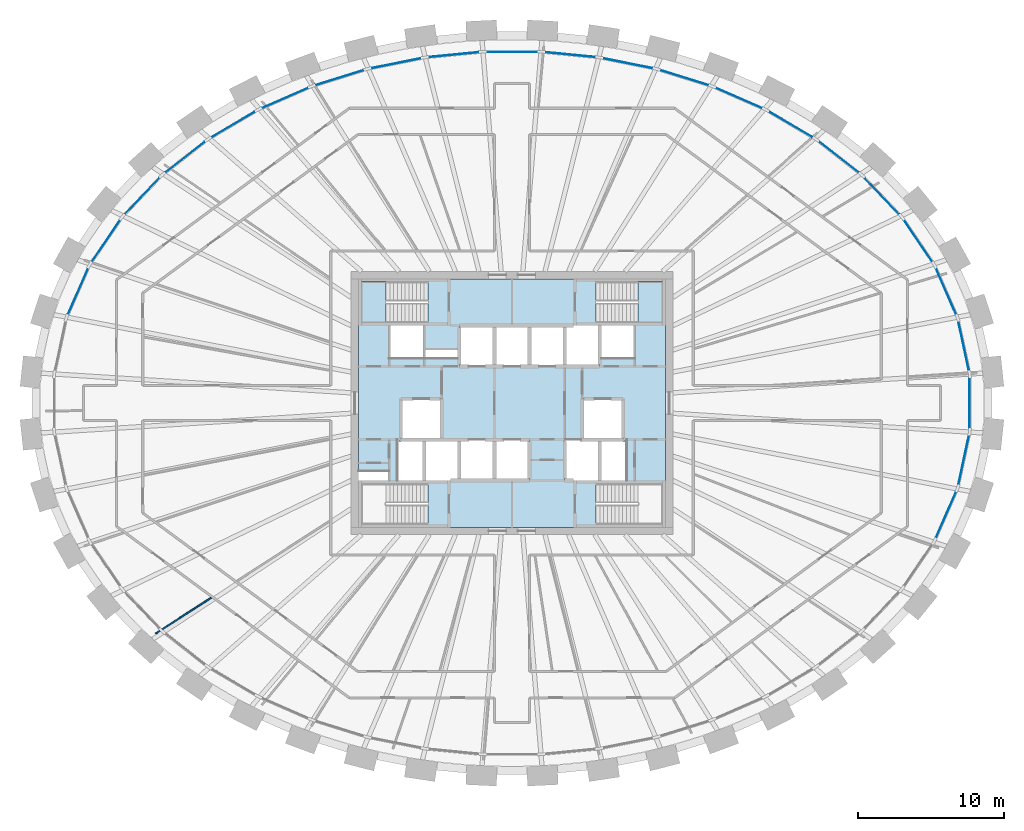
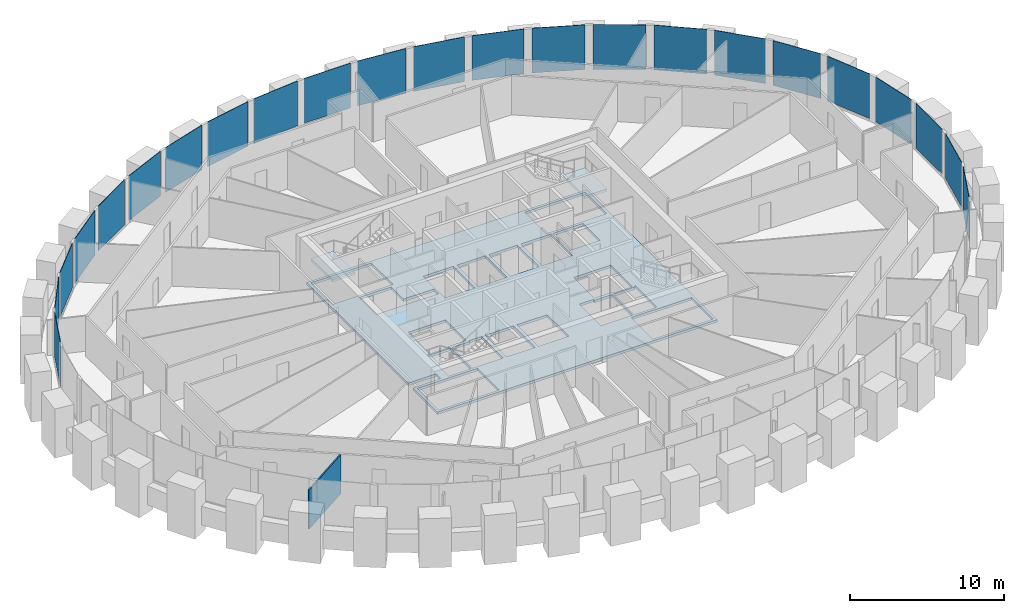
# One storey, part 5 of 12: 23 plates, 3 slabs, 1 wall, 3 elements without a shape of their own.
"""IFC4 building model written with IfcOpenShell, lengths in metres."""

from ifc_helpers import new_model, si_unit, direction, frame, frame_2d, origin, origin_2d, place, context, subcontext, project, spatial, polyline, rectangle, outline, extrude, source, transform, mapped, material, layer, layer_set, type_object, element, aggregate, save


model = new_model("IFC4")

# Units and contexts
model_context = context("Model", 3, precision=1e-05, world=origin(), true_north=direction((0.0, 1.0)))
body_context = subcontext(model_context, "Body", "Model", "MODEL_VIEW")
ifc_project = project(units=[si_unit("LENGTHUNIT", "METRE"), si_unit("AREAUNIT", "SQUARE_METRE"), si_unit("VOLUMEUNIT", "CUBIC_METRE"), si_unit("PLANEANGLEUNIT", "RADIAN"), si_unit("MASSUNIT", "GRAM", prefix="KILO")], contexts=[model_context])

# Site, building, storey
site_placement = place(None, origin())
site = spatial("IfcSite", under=ifc_project, at=site_placement, CompositionType="ELEMENT")
building_placement = place(site_placement, origin())
building = spatial("IfcBuilding", under=site, at=building_placement, Name="Embergate Tower", CompositionType="ELEMENT")
storey_placement = place(building_placement, frame((0.0, 0.0, 265.60009765625)))
storey = spatial("IfcBuildingStorey", under=building, at=storey_placement, Name="L61", CompositionType="ELEMENT", Elevation=265.60009765625)

# Curtain wall, plates
ifc_material_1 = material(Name="Aluminium and glass", Category="aluminium")
curtain_wall_type = type_object("IfcCurtainWallType", Name="Recessed office glazing", PredefinedType="NOTDEFINED", material=ifc_material_1)
curtain_wall_placement = place(storey_placement, origin())
curtain_wall = element("IfcCurtainWall", 1, at=curtain_wall_placement, inside=storey, type_object=curtain_wall_type, Name="Recessed office glazing ring", ObjectType="RECESSED OFFICE GLAZING", PredefinedType="USERDEFINED")
ifc_material_2 = material(Name="Triple glazing, low-emissivity coating", Category="glass")
ifc_layer_1 = layer(ifc_material_2, 0.035888671875)
ifc_layer_set_1 = layer_set([ifc_layer_1], Name="Triple glazing, low-emissivity coating")
plate_type = type_object("IfcPlateType", Name="Office glazing unit", PredefinedType="CURTAIN_PANEL", material=ifc_layer_set_1)
shared_shape_1 = source(origin(), body_context, "Body", "SweptSolid", [
    extrude(rectangle(XDim=3.42529296875, YDim=0.035888671875, at=origin_2d()), origin(), (0.0, 0.0, 1.0), 3.550048828125),
])
plate_1_placement = place(storey_placement, frame((30.88623046875, 3.89990234375, 0.14990234375), z_axis=(0.0, 0.0, 1.0), x_axis=(-0.210401803698, 0.977614996305, 0.0)))
plate_1 = element("IfcPlate", 2, at=plate_1_placement, type_object=plate_type, Name="CW panel 1.1", PredefinedType="CURTAIN_PANEL", context=body_context, shape_type="MappedRepresentation", body=[
    mapped(shared_shape_1, transform((0.0, 0.0, 0.0))),
])
plate_2_placement = place(storey_placement, frame((30.88623046875, -3.89990234375, 0.14990234375), z_axis=(0.0, 0.0, 1.0), x_axis=(0.210401803698, 0.977614996305, 0.0)))
plate_2 = element("IfcPlate", 3, at=plate_2_placement, type_object=plate_type, Name="CW panel 43.1", PredefinedType="CURTAIN_PANEL", context=body_context, shape_type="MappedRepresentation", body=[
    mapped(shared_shape_1, transform((0.0, 0.0, 0.0))),
])
shared_shape_2 = source(origin(), body_context, "Body", "SweptSolid", [
    extrude(rectangle(XDim=3.43212890625, YDim=0.035888671875, at=origin_2d()), origin(), (0.0, 0.0, 1.0), 3.550048828125),
])
plate_3_placement = place(storey_placement, frame((29.677490234375, 7.63818359375, 0.14990234375), z_axis=(0.0, 0.0, 1.0), x_axis=(-0.401658494584, 0.915789524797, 0.0)))
plate_3 = element("IfcPlate", 4, at=plate_3_placement, type_object=plate_type, Name="CW panel 2.1", PredefinedType="CURTAIN_PANEL", context=body_context, shape_type="MappedRepresentation", body=[
    mapped(shared_shape_2, transform((0.0, 0.0, 0.0))),
])
plate_4_placement = place(storey_placement, frame((-29.677490234375, 7.63818359375, 0.14990234375), z_axis=(0.0, 0.0, 1.0), x_axis=(-0.401658494584, -0.915789524797, 0.0)))
plate_4 = element("IfcPlate", 5, at=plate_4_placement, type_object=plate_type, Name="CW panel 20.1", PredefinedType="CURTAIN_PANEL", context=body_context, shape_type="MappedRepresentation", body=[
    mapped(shared_shape_2, transform((0.0, 0.0, 0.0))),
])
plate_5_placement = place(storey_placement, frame((29.677490234375, -7.63818359375, 0.14990234375), z_axis=(0.0, 0.0, 1.0), x_axis=(0.401658494584, 0.915789524797, 0.0)))
plate_5 = element("IfcPlate", 6, at=plate_5_placement, type_object=plate_type, Name="CW panel 42.1", PredefinedType="CURTAIN_PANEL", context=body_context, shape_type="MappedRepresentation", body=[
    mapped(shared_shape_2, transform((0.0, 0.0, 0.0))),
])
shared_shape_3 = source(origin(), body_context, "Body", "SweptSolid", [
    extrude(rectangle(XDim=3.44091796875, YDim=0.035888671875, at=origin_2d()), origin(), (0.0, 0.0, 1.0), 3.550048828125),
])
plate_6_placement = place(storey_placement, frame((27.77001953125, 11.08544921875, 0.14990234375), z_axis=(0.0, 0.0, 1.0), x_axis=(-0.562348958001, 0.826900023845, 0.0)))
plate_6 = element("IfcPlate", 7, at=plate_6_placement, type_object=plate_type, Name="CW panel 3.1", PredefinedType="CURTAIN_PANEL", context=body_context, shape_type="MappedRepresentation", body=[
    mapped(shared_shape_3, transform((0.0, 0.0, 0.0))),
])
plate_7_placement = place(storey_placement, frame((-27.77001953125, 11.08544921875, 0.14990234375), z_axis=(0.0, 0.0, 1.0), x_axis=(-0.562348958001, -0.826900023845, 0.0)))
plate_7 = element("IfcPlate", 8, at=plate_7_placement, type_object=plate_type, Name="CW panel 19.1", PredefinedType="CURTAIN_PANEL", context=body_context, shape_type="MappedRepresentation", body=[
    mapped(shared_shape_3, transform((0.0, 0.0, 0.0))),
])
shared_shape_4 = source(origin(), body_context, "Body", "SweptSolid", [
    extrude(rectangle(XDim=3.44921875, YDim=0.035888671875, at=origin_2d()), origin(), (0.0, 0.0, 1.0), 3.550048828125),
])
plate_8_placement = place(storey_placement, frame((25.28662109375, 14.1591796875, 0.14990234375), z_axis=(0.0, 0.0, 1.0), x_axis=(-0.6901388367, 0.723676990154, 0.0)))
plate_8 = element("IfcPlate", 9, at=plate_8_placement, type_object=plate_type, Name="CW panel 4.1", PredefinedType="CURTAIN_PANEL", context=body_context, shape_type="MappedRepresentation", body=[
    mapped(shared_shape_4, transform((0.0, 0.0, 0.0))),
])
plate_9_placement = place(storey_placement, frame((-25.28662109375, 14.1591796875, 0.14990234375), z_axis=(0.0, 0.0, 1.0), x_axis=(-0.6901388367, -0.723676990154, 0.0)))
plate_9 = element("IfcPlate", 10, at=plate_9_placement, type_object=plate_type, Name="CW panel 18.1", PredefinedType="CURTAIN_PANEL", context=body_context, shape_type="MappedRepresentation", body=[
    mapped(shared_shape_4, transform((0.0, 0.0, 0.0))),
])
shared_shape_5 = source(origin(), body_context, "Body", "SweptSolid", [
    extrude(rectangle(XDim=3.456787109375, YDim=0.035888671875, at=origin_2d()), origin(), (0.0, 0.0, 1.0), 3.550048828125),
])
plate_10_placement = place(storey_placement, frame((22.349609375, 16.81884765625, 0.14990234375), z_axis=(0.0, 0.0, 1.0), x_axis=(-0.788323340765, 0.615261172515, 0.0)))
plate_10 = element("IfcPlate", 11, at=plate_10_placement, type_object=plate_type, Name="CW panel 5.1", PredefinedType="CURTAIN_PANEL", context=body_context, shape_type="MappedRepresentation", body=[
    mapped(shared_shape_5, transform((0.0, 0.0, 0.0))),
])
plate_11_placement = place(storey_placement, frame((-22.349609375, 16.81884765625, 0.14990234375), z_axis=(0.0, 0.0, 1.0), x_axis=(-0.788323340765, -0.615261172515, 0.0)))
plate_11 = element("IfcPlate", 12, at=plate_11_placement, type_object=plate_type, Name="CW panel 17.1", PredefinedType="CURTAIN_PANEL", context=body_context, shape_type="MappedRepresentation", body=[
    mapped(shared_shape_5, transform((0.0, 0.0, 0.0))),
])
shared_shape_6 = source(origin(), body_context, "Body", "SweptSolid", [
    extrude(rectangle(XDim=3.462646484375, YDim=0.035888671875, at=origin_2d()), origin(), (0.0, 0.0, 1.0), 3.550048828125),
])
plate_12_placement = place(storey_placement, frame((19.0654296875, 19.051513671875, 0.14990234375), z_axis=(0.0, 0.0, 1.0), x_axis=(-0.862054936934, 0.506814843614, 0.0)))
plate_12 = element("IfcPlate", 13, at=plate_12_placement, type_object=plate_type, Name="CW panel 6.1", PredefinedType="CURTAIN_PANEL", context=body_context, shape_type="MappedRepresentation", body=[
    mapped(shared_shape_6, transform((0.0, 0.0, 0.0))),
])
plate_13_placement = place(storey_placement, frame((-19.0654296875, 19.051513671875, 0.14990234375), z_axis=(0.0, 0.0, 1.0), x_axis=(-0.862054936934, -0.506814843614, 0.0)))
plate_13 = element("IfcPlate", 14, at=plate_13_placement, type_object=plate_type, Name="CW panel 16.1", PredefinedType="CURTAIN_PANEL", context=body_context, shape_type="MappedRepresentation", body=[
    mapped(shared_shape_6, transform((0.0, 0.0, 0.0))),
])
shared_shape_7 = source(origin(), body_context, "Body", "SweptSolid", [
    extrude(rectangle(XDim=3.467041015625, YDim=0.035888671875, at=origin_2d()), origin(), (0.0, 0.0, 1.0), 3.550048828125),
])
plate_14_placement = place(storey_placement, frame((15.5224609375, 20.859375, 0.14990234375), z_axis=(0.0, 0.0, 1.0), x_axis=(-0.916237610228, 0.400635297502, 0.0)))
plate_14 = element("IfcPlate", 15, at=plate_14_placement, type_object=plate_type, Name="CW panel 7.1", PredefinedType="CURTAIN_PANEL", context=body_context, shape_type="MappedRepresentation", body=[
    mapped(shared_shape_7, transform((0.0, 0.0, 0.0))),
])
plate_15_placement = place(storey_placement, frame((-15.5224609375, 20.859375, 0.14990234375), z_axis=(0.0, 0.0, 1.0), x_axis=(-0.916237610228, -0.400635297502, 0.0)))
plate_15 = element("IfcPlate", 16, at=plate_15_placement, type_object=plate_type, Name="CW panel 15.1", PredefinedType="CURTAIN_PANEL", context=body_context, shape_type="MappedRepresentation", body=[
    mapped(shared_shape_7, transform((0.0, 0.0, 0.0))),
])
shared_shape_8 = source(origin(), body_context, "Body", "SweptSolid", [
    extrude(rectangle(XDim=3.47021484375, YDim=0.035888671875, at=origin_2d()), origin(), (0.0, 0.0, 1.0), 3.550048828125),
])
plate_16_placement = place(storey_placement, frame((11.791015625, 22.251220703125, 0.14990234375), z_axis=(0.0, 0.0, 1.0), x_axis=(-0.954772736126, 0.297336547283, 0.0)))
plate_16 = element("IfcPlate", 17, at=plate_16_placement, type_object=plate_type, Name="CW panel 8.1", PredefinedType="CURTAIN_PANEL", context=body_context, shape_type="MappedRepresentation", body=[
    mapped(shared_shape_8, transform((0.0, 0.0, 0.0))),
])
plate_17_placement = place(storey_placement, frame((-11.791015625, 22.251220703125, 0.14990234375), z_axis=(0.0, 0.0, 1.0), x_axis=(-0.954772736126, -0.297336547283, 0.0)))
plate_17 = element("IfcPlate", 18, at=plate_17_placement, type_object=plate_type, Name="CW panel 14.1", PredefinedType="CURTAIN_PANEL", context=body_context, shape_type="MappedRepresentation", body=[
    mapped(shared_shape_8, transform((0.0, 0.0, 0.0))),
])
shared_shape_9 = source(origin(), body_context, "Body", "SweptSolid", [
    extrude(rectangle(XDim=3.472412109375, YDim=0.035888671875, at=origin_2d()), origin(), (0.0, 0.0, 1.0), 3.550048828125),
])
plate_18_placement = place(storey_placement, frame((7.928955078125, 23.237060546875, 0.14990234375), z_axis=(0.0, 0.0, 1.0), x_axis=(-0.980476250608, 0.196637539636, 0.0)))
plate_18 = element("IfcPlate", 19, at=plate_18_placement, type_object=plate_type, Name="CW panel 9.1", PredefinedType="CURTAIN_PANEL", context=body_context, shape_type="MappedRepresentation", body=[
    mapped(shared_shape_9, transform((0.0, 0.0, 0.0))),
])
plate_19_placement = place(storey_placement, frame((-7.928955078125, 23.237060546875, 0.14990234375), z_axis=(0.0, 0.0, 1.0), x_axis=(-0.980476250608, -0.196637539636, 0.0)))
plate_19 = element("IfcPlate", 20, at=plate_19_placement, type_object=plate_type, Name="CW panel 13.1", PredefinedType="CURTAIN_PANEL", context=body_context, shape_type="MappedRepresentation", body=[
    mapped(shared_shape_9, transform((0.0, 0.0, 0.0))),
])
shared_shape_10 = source(origin(), body_context, "Body", "SweptSolid", [
    extrude(rectangle(XDim=3.4736328125, YDim=0.035888671875, at=origin_2d()), origin(), (0.0, 0.0, 1.0), 3.550048828125),
])
plate_20_placement = place(storey_placement, frame((3.984375, 23.824951171875, 0.14990234375), z_axis=(0.0, 0.0, 1.0), x_axis=(-0.995203355531, 0.09782781373, 0.0)))
plate_20 = element("IfcPlate", 21, at=plate_20_placement, type_object=plate_type, Name="CW panel 10.1", PredefinedType="CURTAIN_PANEL", context=body_context, shape_type="MappedRepresentation", body=[
    mapped(shared_shape_10, transform((0.0, 0.0, 0.0))),
])
plate_21_placement = place(storey_placement, frame((-3.984375, 23.824951171875, 0.14990234375), z_axis=(0.0, 0.0, 1.0), x_axis=(-0.995203355531, -0.09782781373, 0.0)))
plate_21 = element("IfcPlate", 22, at=plate_21_placement, type_object=plate_type, Name="CW panel 12.1", PredefinedType="CURTAIN_PANEL", context=body_context, shape_type="MappedRepresentation", body=[
    mapped(shared_shape_10, transform((0.0, 0.0, 0.0))),
])
shared_shape_11 = source(origin(), body_context, "Body", "SweptSolid", [
    extrude(rectangle(XDim=3.47412109375, YDim=0.035888671875, at=origin_2d()), origin(), (0.0, 0.0, 1.0), 3.550048828125),
])
plate_22_placement = place(storey_placement, frame((0.0, 24.020263671875, 0.14990234375), z_axis=(0.0, 0.0, 1.0), x_axis=(-1.0, 0.0, 0.0)))
plate_22 = element("IfcPlate", 23, at=plate_22_placement, type_object=plate_type, Name="CW panel 11.1", PredefinedType="CURTAIN_PANEL", context=body_context, shape_type="MappedRepresentation", body=[
    mapped(shared_shape_11, transform((0.0, 0.0, 0.0))),
])
shared_shape_12 = source(origin(), body_context, "Body", "SweptSolid", [
    extrude(rectangle(XDim=3.4228515625, YDim=0.035888671875, at=origin_2d()), origin(), (0.0, 0.0, 1.0), 3.550048828125),
])
plate_23_placement = place(storey_placement, frame((31.301513671875, 0.0, 0.14990234375), z_axis=(0.0, 0.0, 1.0), x_axis=(0.0, 1.0, 0.0)))
plate_23 = element("IfcPlate", 24, at=plate_23_placement, type_object=plate_type, Name="CW panel 44.1", PredefinedType="CURTAIN_PANEL", context=body_context, shape_type="MappedRepresentation", body=[
    mapped(shared_shape_12, transform((0.0, 0.0, 0.0))),
])
aggregate(curtain_wall, [plate_1, plate_3, plate_6, plate_8, plate_10, plate_12, plate_14, plate_16, plate_18, plate_20, plate_22, plate_21, plate_19, plate_17, plate_15, plate_13, plate_11, plate_9, plate_7, plate_4, plate_5, plate_2, plate_23])

# Stair, slab
ifc_material_3 = material(Name="Exit stair")
stair_type = type_object("IfcStairType", Name="Exit stair", PredefinedType="HALF_TURN_STAIR", material=ifc_material_3)
stair_1_placement = place(storey_placement, origin())
stair_1 = element("IfcStair", 25, at=stair_1_placement, inside=storey, type_object=stair_type, Name="L61 Exit stair 1", PredefinedType="HALF_TURN_STAIR")
ifc_material_4 = material(Name="Concrete C40", Category="concrete")
ifc_layer_2 = layer(ifc_material_4, 0.199951171875)
ifc_layer_set_2 = layer_set([ifc_layer_2], Name="Concrete C40")
slab_type_1 = type_object("IfcSlabType", Name="Stair landing reinforced concrete", PredefinedType="LANDING", material=ifc_layer_set_2)
shared_shape_13 = source(origin(), body_context, "Body", "SweptSolid", [
    extrude(outline(polyline([(0.0, 0.0), (1.68994140625, 0.0), (1.68994140625, 2.800048828125), (0.0, 2.800048828125), (0.0, 0.0)])), origin(), (0.0, 0.0, 1.0), 0.199951171875),
])
slab_1_placement = place(storey_placement, frame((-10.300048828125, 5.5, 1.75)))
slab_1 = element("IfcSlab", 26, at=slab_1_placement, type_object=slab_type_1, Name="ST1 landing 1", PredefinedType="LANDING", context=body_context, shape_type="MappedRepresentation", body=[
    mapped(shared_shape_13, transform((0.0, 0.0, 0.0))),
])
aggregate(stair_1, [slab_1])

stair_2_placement = place(storey_placement, origin())
stair_2 = element("IfcStair", 27, at=stair_2_placement, inside=storey, type_object=stair_type, Name="L61 Exit stair 2", PredefinedType="HALF_TURN_STAIR")
slab_2_placement = place(storey_placement, frame((8.610107421875, 5.5, 1.75)))
slab_2 = element("IfcSlab", 28, at=slab_2_placement, type_object=slab_type_1, Name="ST2 landing 1", PredefinedType="LANDING", context=body_context, shape_type="MappedRepresentation", body=[
    mapped(shared_shape_13, transform((0.0, 0.0, 0.0))),
])
aggregate(stair_2, [slab_2])

# Slab
ifc_layer_3 = layer(ifc_material_4, 0.199951171875)
ifc_layer_set_3 = layer_set([ifc_layer_3], Name="Concrete C40")
slab_type_2 = type_object("IfcSlabType", Name="Core floor slab 200 reinforced concrete", PredefinedType="FLOOR", material=ifc_layer_set_3)
shared_shape_14 = source(origin(), body_context, "Body", "SweptSolid", [
    extrude(outline(polyline([(0.0, 0.0), (21.0, 0.0), (21.0, 17.0), (0.0, 17.0), (0.0, 3.803955078125), (2.10009765625, 3.803955078125), (2.10009765625, 3.199951171875), (0.0, 3.199951171875), (0.0, 0.0)]), holes=[polyline([(0.199951171875, 0.199951171875), (0.199951171875, 3.0), (4.739990234375, 3.0), (4.739990234375, 0.199951171875), (0.199951171875, 0.199951171875)]), polyline([(16.260009765625, 0.199951171875), (16.260009765625, 3.0), (20.800048828125, 3.0), (20.800048828125, 0.199951171875), (16.260009765625, 0.199951171875)]), polyline([(2.699951171875, 3.199951171875), (2.699951171875, 6.0), (2.77490234375, 6.0), (2.77490234375, 5.875), (4.375, 5.875), (4.375, 3.199951171875), (2.699951171875, 3.199951171875)]), polyline([(4.5, 3.199951171875), (4.5, 5.875), (5.824951171875, 5.875), (5.824951171875, 6.0), (6.77490234375, 6.0), (6.77490234375, 3.199951171875), (4.5, 3.199951171875)]), polyline([(7.02490234375, 3.199951171875), (7.02490234375, 6.0), (9.175048828125, 6.0), (9.175048828125, 3.199951171875), (7.02490234375, 3.199951171875)]), polyline([(9.425048828125, 3.199951171875), (9.425048828125, 6.0), (11.699951171875, 6.0), (11.699951171875, 3.199951171875), (9.425048828125, 3.199951171875)]), polyline([(14.10009765625, 3.199951171875), (14.10009765625, 6.0), (15.175048828125, 6.0), (15.175048828125, 5.875), (16.5, 5.875), (16.5, 3.199951171875), (14.10009765625, 3.199951171875)]), polyline([(16.625, 3.199951171875), (16.625, 5.875), (18.22509765625, 5.875), (18.22509765625, 6.0), (18.300048828125, 6.0), (18.300048828125, 3.199951171875), (16.625, 3.199951171875)]), polyline([(2.89990234375, 6.0), (2.89990234375, 8.800048828125), (5.699951171875, 8.800048828125), (5.699951171875, 6.125), (4.375, 6.125), (4.375, 6.0), (2.89990234375, 6.0)]), polyline([(16.625, 6.0), (16.625, 6.125), (15.300048828125, 6.125), (15.300048828125, 8.800048828125), (18.10009765625, 8.800048828125), (18.10009765625, 6.0), (16.625, 6.0)]), polyline([(6.89990234375, 11.0), (6.89990234375, 13.800048828125), (9.175048828125, 13.800048828125), (9.175048828125, 11.0), (6.89990234375, 11.0)]), polyline([(9.425048828125, 11.0), (9.425048828125, 13.800048828125), (11.574951171875, 13.800048828125), (11.574951171875, 11.0), (9.425048828125, 11.0)]), polyline([(11.824951171875, 11.0), (11.824951171875, 13.800048828125), (13.97509765625, 13.800048828125), (13.97509765625, 11.0), (11.824951171875, 11.0)]), polyline([(14.22509765625, 11.0), (14.22509765625, 13.800048828125), (16.5, 13.800048828125), (16.5, 11.0), (14.22509765625, 11.0)]), polyline([(2.10009765625, 11.60009765625), (2.10009765625, 13.800048828125), (4.5, 13.800048828125), (4.5, 12.2041015625), (6.77490234375, 12.2041015625), (6.77490234375, 11.60009765625), (4.5, 11.60009765625), (2.10009765625, 11.60009765625)]), polyline([(16.625, 11.60009765625), (16.625, 13.800048828125), (18.89990234375, 13.800048828125), (18.89990234375, 11.60009765625), (16.625, 11.60009765625)]), polyline([(0.199951171875, 14.0), (0.199951171875, 16.800048828125), (4.739990234375, 16.800048828125), (4.739990234375, 14.0), (0.199951171875, 14.0)]), polyline([(16.260009765625, 14.0), (16.260009765625, 16.800048828125), (20.800048828125, 16.800048828125), (20.800048828125, 14.0), (16.260009765625, 14.0)])]), origin(), (0.0, 0.0, 1.0), 0.2001953125),
])
slab_3_placement = place(storey_placement, frame((-10.5, -8.5, -0.2001953125)))
element("IfcSlab", 29, at=slab_3_placement, inside=storey, type_object=slab_type_2, Name="Core floor slab", PredefinedType="FLOOR", context=body_context, shape_type="MappedRepresentation", body=[
    mapped(shared_shape_14, transform((0.0, 0.0, 0.0))),
])

# Wall
ifc_material_5 = material(Name="Partition dry-lined 100")
ifc_layer_4 = layer(ifc_material_5, 0.10009765625)
ifc_layer_set_4 = layer_set([ifc_layer_4], Name="Partition dry-lined 100")
wall_type = type_object("IfcWallType", Name="Partition dry-lined 100", PredefinedType="PARTITIONING", material=ifc_layer_set_4)
shared_shape_15 = source(origin(), body_context, "Body", "SweptSolid", [
    extrude(rectangle(XDim=4.518798828125, YDim=0.10009765625, at=frame_2d((2.25927734375, 0.0))), origin(), (0.0, 0.0, 1.0), 3.099853515625),
])
wall_placement = place(storey_placement, frame((-20.576904296875, -13.31201171875, 0.0), z_axis=(0.0, 0.0, 1.0), x_axis=(-0.839667264455, -0.543101173818, 0.0)))
element("IfcWall", 30, at=wall_placement, inside=storey, type_object=wall_type, Name="IP-1 wall", PredefinedType="PARTITIONING", context=body_context, shape_type="MappedRepresentation", body=[
    mapped(shared_shape_15, transform((0.0, 0.0, 0.0))),
])

save(model, "model.ifc")
